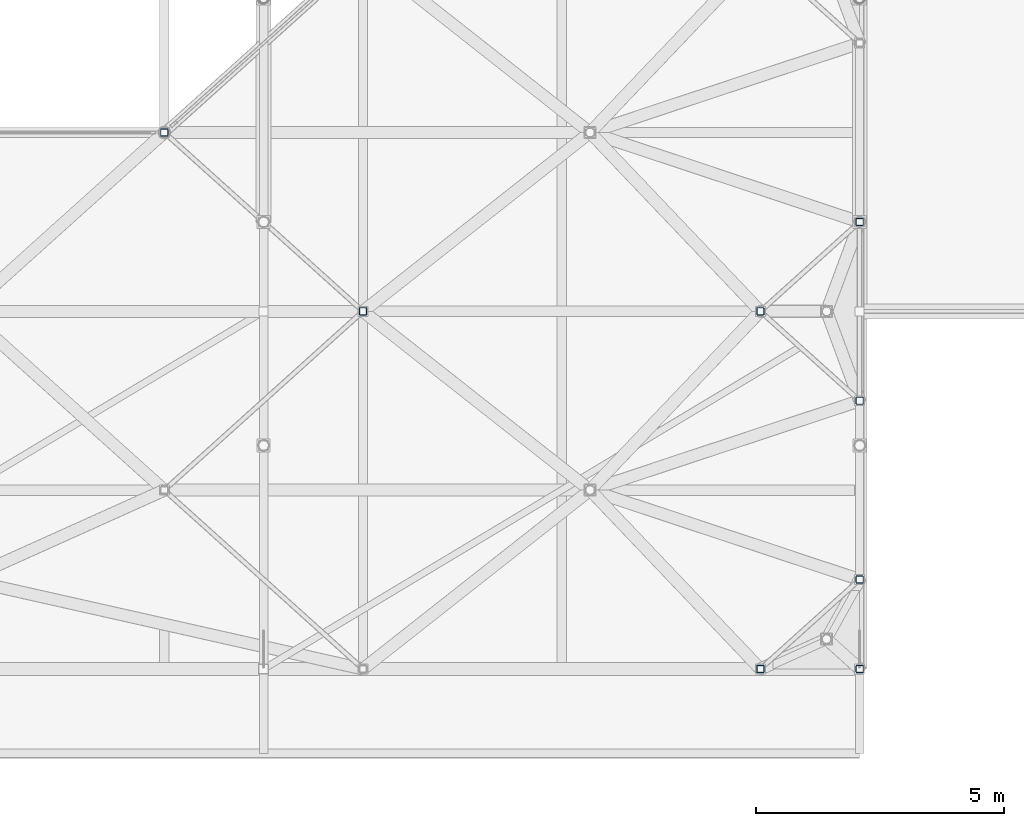
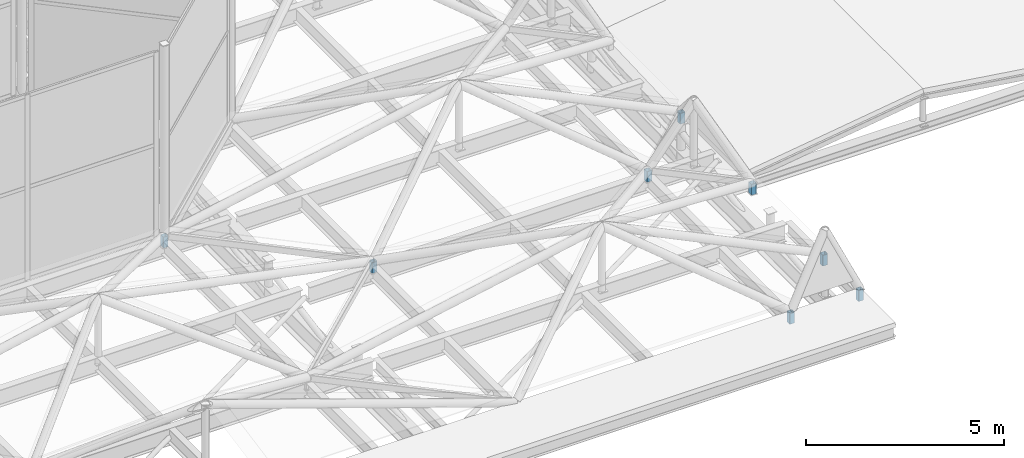
# One storey, part 195 of 239: 8 members.
"""IFC4 building model written with IfcOpenShell, lengths in metres."""

from ifc_helpers import new_model, si_unit, direction, frame, origin, origin_2d, place, context, subcontext, project, spatial, hollow_rectangle, extrude, material, material_profile, profile_set, type_object, element, save


model = new_model("IFC4")

# Units and contexts
model_context = context("Model", 3, precision=1e-05, world=origin(), true_north=direction((0.0, 1.0)))
body_context = subcontext(model_context, "Body", "Model", "MODEL_VIEW")
ifc_project = project(units=[si_unit("LENGTHUNIT", "METRE"), si_unit("AREAUNIT", "SQUARE_METRE"), si_unit("VOLUMEUNIT", "CUBIC_METRE"), si_unit("PLANEANGLEUNIT", "RADIAN"), si_unit("MASSUNIT", "GRAM", prefix="KILO")], contexts=[model_context])

# Site, building, storey
site_placement = place(None, origin())
site = spatial("IfcSite", under=ifc_project, at=site_placement, CompositionType="ELEMENT")
building_placement = place(site_placement, origin())
building = spatial("IfcBuilding", under=site, at=building_placement, Name="Dunvalen Ferry Terminal", CompositionType="ELEMENT")
storey_placement = place(building_placement, frame((0.0, 0.0, 9.840087890625)))
storey = spatial("IfcBuildingStorey", under=building, at=storey_placement, Name="L02", CompositionType="ELEMENT", Elevation=9.840087890625)

# Members
ifc_material = material(Name="Steel S355", Category="steel")
ifc_material_profile = material_profile(ifc_material, hollow_rectangle(XDim=0.14990234375, YDim=0.14990234375, WallThickness=0.008056640625, InnerFilletRadius=0.008056640625, OuterFilletRadius=0.01611328125, at=origin_2d()), Name="Steel S355")
ifc_profile_set = profile_set([ifc_material_profile], Name="Steel S355")
member_type = type_object("IfcMemberType", Name="STR-MB-SHS150", PredefinedType="BRACE", material=ifc_profile_set)
for number, where, z_axis, x_axis, name in (
    (1, (86.0, 57.60009765625, 0.77001953125), (0.0, 0.0, 1.0), (1.0, 0.0, 0.0), "HEX-35 Rim Pedestal Strut 4"),
    (2, (82.0, 61.199951171875, 0.77001953125), (0.0, 0.0, 1.0), (1.0, 0.0, 0.0), "HEX-35 Rim Pedestal Strut 5"),
    (3, (94.0, 50.39990234375, 0.77001953125), (0.0, 0.0, 1.0), (1.0, 0.0, 0.0), "HEX-40 Rim Pedestal Strut 3"),
    (4, (96.0, 52.199951171875, 0.77001953125), (0.0, 0.0, 1.0), (1.0, 0.0, 0.0), "HEX-40 Rim Pedestal Strut 4"),
    (5, (96.0, 55.800048828125, 0.77001953125), (0.0, 0.0, 1.0), (1.0, 0.0, 0.0), "HEX-40 Rim Pedestal Strut 5"),
    (6, (94.0, 57.60009765625, 0.77001953125), (0.0, 0.0, 1.0), (1.0, 0.0, 0.0), "HEX-40 Rim Pedestal Strut 6"),
    (7, (96.0, 59.39990234375, 0.77001953125), (0.0, 0.0, 1.0), (1.0, 0.0, 0.0), "HEX-41 Rim Pedestal Strut 4"),
    (8, (96.0, 50.39990234375, 0.77001953125), (0.0, 0.0, 1.0), (1.0, 0.0, 0.0), "HEX-45 Rim Pedestal Strut 1"),
):
    element("IfcMember", number, at=place(storey_placement, frame(where, z_axis=z_axis, x_axis=x_axis)), inside=storey, type_object=member_type, Name=name, PredefinedType="BRACE", context=body_context, shape_type="SweptSolid", body=[
        extrude(hollow_rectangle(XDim=0.14990234375, YDim=0.14990234375, WallThickness=0.008056640625, InnerFilletRadius=0.008056640625, OuterFilletRadius=0.01611328125, at=origin_2d()), origin(), (0.0, 0.0, 1.0), 0.329833984375),
    ])

save(model, "model.ifc")
